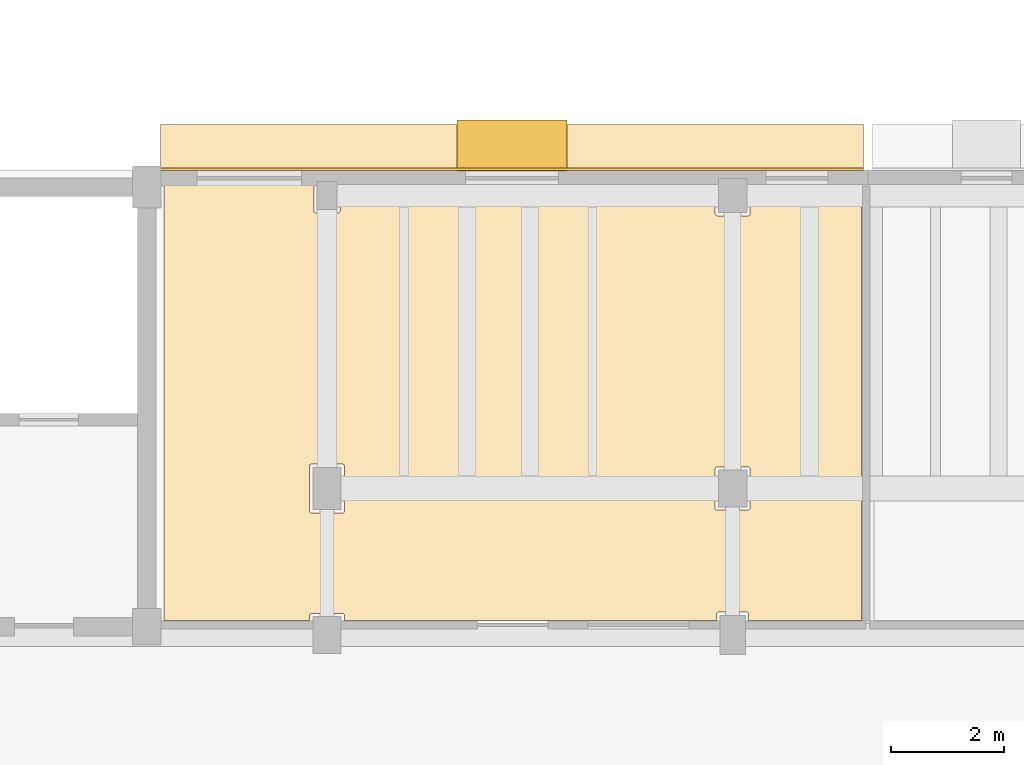
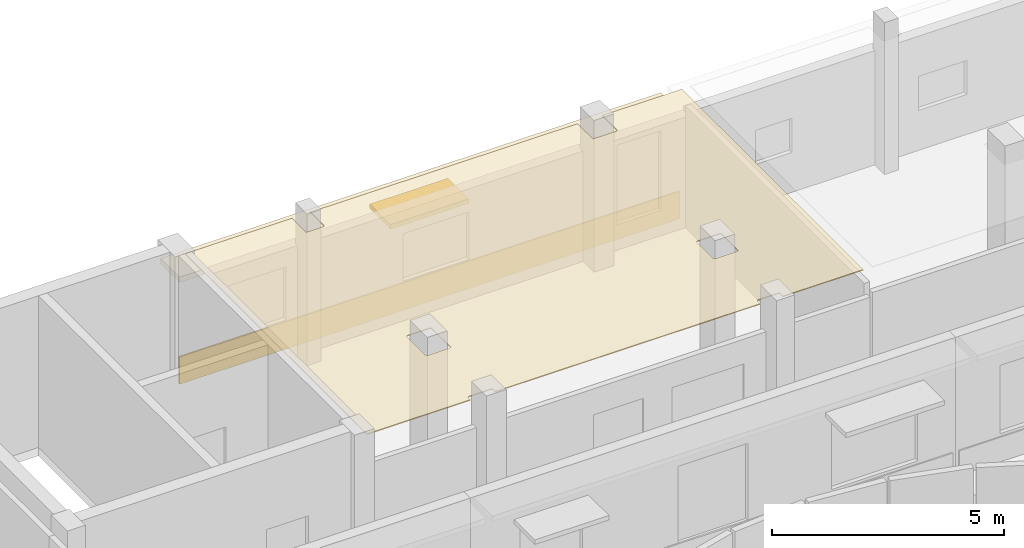
# One storey, part 70 of 78: 3 coverings, 1 shading device.
"""IFC4 building model written with IfcOpenShell, lengths in metres."""

from ifc_helpers import new_model, si_unit, direction, frame, origin, origin_2d, place, context, subcontext, project, spatial, polyline, rectangle, outline, extrude, material, layer, layer_set, type_object, element, save


model = new_model("IFC4")

# Units and contexts
model_context = context("Model", 3, precision=1e-05, world=origin(), true_north=direction((0.0, 1.0)))
body_context = subcontext(model_context, "Body", "Model", "MODEL_VIEW")
ifc_project = project(units=[si_unit("LENGTHUNIT", "METRE"), si_unit("AREAUNIT", "SQUARE_METRE"), si_unit("VOLUMEUNIT", "CUBIC_METRE"), si_unit("PLANEANGLEUNIT", "RADIAN"), si_unit("MASSUNIT", "GRAM", prefix="KILO")], contexts=[model_context])

# Site, building, storey
site_placement = place(None, origin())
site = spatial("IfcSite", under=ifc_project, at=site_placement, CompositionType="ELEMENT")
building_placement = place(site_placement, origin())
building = spatial("IfcBuilding", under=site, at=building_placement, Name="Kelanivale Promenade Academy", CompositionType="ELEMENT")
storey_placement = place(building_placement, frame((0.0, 0.0, 16.199951171875)))
storey = spatial("IfcBuildingStorey", under=building, at=storey_placement, Name="L04", CompositionType="ELEMENT", Elevation=16.199951171875)

# Coverings
ifc_material_1 = material(Name="Warm ivory Art Deco stucco frieze band 40 mm", Category="masonry")
ifc_layer_1 = layer(ifc_material_1, 0.0400390625)
ifc_layer_set_1 = layer_set([ifc_layer_1], Name="Warm ivory Art Deco stucco frieze band 40 mm")
covering_type_1 = type_object("IfcCoveringType", Name="COV-CLD2 Warm ivory Art Deco stucco frieze ba", PredefinedType="CLADDING", material=ifc_layer_set_1)
covering_1_placement = place(storey_placement, frame((60.883056640625, 80.25, 2.75), z_axis=(0.0, 0.0, 1.0), x_axis=(-1.0, 0.0, 0.0)))
element("IfcCovering", 1, at=covering_1_placement, inside=storey, type_object=covering_type_1, Name="Art Deco projecting 820 mm streamline sunshade eyebrow ledge", PredefinedType="CLADDING", context=body_context, shape_type="SweptSolid", body=[
    extrude(rectangle(XDim=12.47509765625, YDim=0.820068359375, at=origin_2d()), origin(), (0.0, 0.0, 1.0), 0.139892578125),
])
covering_2_placement = place(storey_placement, frame((60.883056640625, 79.864990234375, 0.06005859375), z_axis=(0.0, 0.0, 1.0), x_axis=(-1.0, 0.0, 0.0)))
element("IfcCovering", 2, at=covering_2_placement, inside=storey, type_object=covering_type_1, Name="Art Deco ivory stucco sill frieze band", PredefinedType="CLADDING", context=body_context, shape_type="SweptSolid", body=[
    extrude(rectangle(XDim=12.47509765625, YDim=0.0400390625, at=origin_2d()), origin(), (0.0, 0.0, 1.0), 0.719970703125),
])
ifc_material_2 = material(Name="Acoustic mineral-fibre ceiling tile 25 mm", Category="gypsum")
ifc_layer_2 = layer(ifc_material_2, 0.02490234375)
ifc_layer_set_2 = layer_set([ifc_layer_2], Name="Acoustic mineral-fibre ceiling tile 25 mm")
covering_type_2 = type_object("IfcCoveringType", Name="COV-CLG1 Acoustic mineral-fibre ceiling tile ", PredefinedType="CEILING", material=ifc_layer_set_2)
covering_3_placement = place(storey_placement, frame((0.0, 0.0, 3.550048828125)))
element("IfcCovering", 3, at=covering_3_placement, inside=storey, type_object=covering_type_2, Name="Sixth Form Classroom West acoustic suspended ceiling", PredefinedType="CEILING", context=body_context, shape_type="SweptSolid", body=[
    extrude(outline(polyline([(54.7099609375, 79.699951171875), (54.7099609375, 79.155029296875), (54.7099609375, 72.094970703125), (54.7099609375, 71.860107421875), (57.2900390625, 71.860107421875), (57.2900390625, 71.945068359375), (57.2900390625, 71.948974609375), (57.291015625, 71.952880859375), (57.2919921875, 71.95703125), (57.29296875, 71.9599609375), (57.294921875, 71.964111328125), (57.297119140625, 71.967041015625), (57.299072265625, 71.969970703125), (57.302001953125, 71.972900390625), (57.304931640625, 71.97607421875), (57.30810546875, 71.97802734375), (57.31103515625, 71.97998046875), (57.31494140625, 71.98193359375), (57.318115234375, 71.98291015625), (57.322021484375, 71.98388671875), (57.325927734375, 71.985107421875), (57.330078125, 71.985107421875), (57.8701171875, 71.985107421875), (57.8740234375, 71.985107421875), (57.8779296875, 71.98388671875), (57.882080078125, 71.98291015625), (57.885009765625, 71.98193359375), (57.888916015625, 71.97998046875), (57.89208984375, 71.97802734375), (57.89501953125, 71.97607421875), (57.89794921875, 71.972900390625), (57.90087890625, 71.969970703125), (57.903076171875, 71.967041015625), (57.905029296875, 71.964111328125), (57.906982421875, 71.9599609375), (57.907958984375, 71.95703125), (57.908935546875, 71.952880859375), (57.909912109375, 71.948974609375), (57.909912109375, 71.945068359375), (57.909912109375, 71.860107421875), (64.514892578125, 71.860107421875), (64.514892578125, 71.969970703125), (64.514892578125, 71.97412109375), (64.51611328125, 71.97802734375), (64.51708984375, 71.98193359375), (64.51806640625, 71.985107421875), (64.52001953125, 71.989013671875), (64.52197265625, 71.991943359375), (64.52392578125, 71.9951171875), (64.527099609375, 71.998046875), (64.530029296875, 72.0009765625), (64.532958984375, 72.0029296875), (64.535888671875, 72.0048828125), (64.5400390625, 72.007080078125), (64.54296875, 72.008056640625), (64.547119140625, 72.009033203125), (64.551025390625, 72.010009765625), (64.554931640625, 72.010009765625), (65.044921875, 72.010009765625), (65.049072265625, 72.010009765625), (65.052978515625, 72.009033203125), (65.056884765625, 72.008056640625), (65.06005859375, 72.007080078125), (65.06396484375, 72.0048828125), (65.06689453125, 72.0029296875), (65.070068359375, 72.0009765625), (65.072998046875, 71.998046875), (65.075927734375, 71.9951171875), (65.077880859375, 71.991943359375), (65.080078125, 71.989013671875), (65.08203125, 71.985107421875), (65.0830078125, 71.98193359375), (65.083984375, 71.97802734375), (65.0849609375, 71.97412109375), (65.0849609375, 71.969970703125), (65.0849609375, 71.860107421875), (67.090087890625, 71.860107421875), (67.090087890625, 79.699951171875), (65.110107421875, 79.699951171875), (65.110107421875, 79.080078125), (65.110107421875, 79.075927734375), (65.10888671875, 79.072021484375), (65.10791015625, 79.068115234375), (65.10693359375, 79.06494140625), (65.10498046875, 79.06103515625), (65.10302734375, 79.05810546875), (65.10107421875, 79.054931640625), (65.097900390625, 79.052001953125), (65.094970703125, 79.049072265625), (65.092041015625, 79.047119140625), (65.089111328125, 79.044921875), (65.0849609375, 79.04296875), (65.08203125, 79.0419921875), (65.077880859375, 79.041015625), (65.073974609375, 79.0400390625), (65.070068359375, 79.0400390625), (64.530029296875, 79.0400390625), (64.52587890625, 79.0400390625), (64.52197265625, 79.041015625), (64.51806640625, 79.0419921875), (64.514892578125, 79.04296875), (64.510986328125, 79.044921875), (64.508056640625, 79.047119140625), (64.5048828125, 79.049072265625), (64.501953125, 79.052001953125), (64.4990234375, 79.054931640625), (64.4970703125, 79.05810546875), (64.4951171875, 79.06103515625), (64.492919921875, 79.06494140625), (64.491943359375, 79.068115234375), (64.490966796875, 79.072021484375), (64.489990234375, 79.075927734375), (64.489990234375, 79.080078125), (64.489990234375, 79.699951171875), (57.821044921875, 79.699951171875), (57.822998046875, 79.697998046875), (57.825927734375, 79.695068359375), (57.827880859375, 79.69189453125), (57.830078125, 79.68896484375), (57.83203125, 79.68505859375), (57.8330078125, 79.681884765625), (57.833984375, 79.677978515625), (57.8349609375, 79.674072265625), (57.8349609375, 79.669921875), (57.8349609375, 79.1298828125), (57.8349609375, 79.1259765625), (57.833984375, 79.1220703125), (57.8330078125, 79.117919921875), (57.83203125, 79.114990234375), (57.830078125, 79.111083984375), (57.827880859375, 79.10791015625), (57.825927734375, 79.10498046875), (57.822998046875, 79.10205078125), (57.820068359375, 79.09912109375), (57.81689453125, 79.096923828125), (57.81396484375, 79.094970703125), (57.81005859375, 79.093017578125), (57.806884765625, 79.092041015625), (57.802978515625, 79.091064453125), (57.799072265625, 79.090087890625), (57.794921875, 79.090087890625), (57.405029296875, 79.090087890625), (57.40087890625, 79.090087890625), (57.39697265625, 79.091064453125), (57.39306640625, 79.092041015625), (57.389892578125, 79.093017578125), (57.385986328125, 79.094970703125), (57.383056640625, 79.096923828125), (57.3798828125, 79.09912109375), (57.376953125, 79.10205078125), (57.3740234375, 79.10498046875), (57.3720703125, 79.10791015625), (57.3701171875, 79.111083984375), (57.367919921875, 79.114990234375), (57.366943359375, 79.117919921875), (57.365966796875, 79.1220703125), (57.364990234375, 79.1259765625), (57.364990234375, 79.1298828125), (57.364990234375, 79.669921875), (57.364990234375, 79.674072265625), (57.365966796875, 79.677978515625), (57.366943359375, 79.681884765625), (57.367919921875, 79.68505859375), (57.3701171875, 79.68896484375), (57.3720703125, 79.69189453125), (57.3740234375, 79.695068359375), (57.376953125, 79.697998046875), (57.37890625, 79.699951171875), (54.7099609375, 79.699951171875)]), holes=[polyline([(65.070068359375, 74.5849609375), (65.073974609375, 74.5849609375), (65.077880859375, 74.583984375), (65.08203125, 74.5830078125), (65.0849609375, 74.58203125), (65.089111328125, 74.580078125), (65.092041015625, 74.577880859375), (65.094970703125, 74.575927734375), (65.097900390625, 74.572998046875), (65.10107421875, 74.570068359375), (65.10302734375, 74.56689453125), (65.10498046875, 74.56396484375), (65.10693359375, 74.56005859375), (65.10791015625, 74.556884765625), (65.10888671875, 74.552978515625), (65.110107421875, 74.549072265625), (65.110107421875, 74.544921875), (65.110107421875, 73.85498046875), (65.110107421875, 73.85107421875), (65.10888671875, 73.846923828125), (65.10791015625, 73.843017578125), (65.10693359375, 73.840087890625), (65.10498046875, 73.8359375), (65.10302734375, 73.8330078125), (65.10107421875, 73.830078125), (65.097900390625, 73.826904296875), (65.094970703125, 73.823974609375), (65.092041015625, 73.822021484375), (65.089111328125, 73.820068359375), (65.0849609375, 73.818115234375), (65.08203125, 73.81689453125), (65.077880859375, 73.81591796875), (65.073974609375, 73.81494140625), (65.070068359375, 73.81494140625), (64.530029296875, 73.81494140625), (64.52587890625, 73.81494140625), (64.52197265625, 73.81591796875), (64.51806640625, 73.81689453125), (64.514892578125, 73.818115234375), (64.510986328125, 73.820068359375), (64.508056640625, 73.822021484375), (64.5048828125, 73.823974609375), (64.501953125, 73.826904296875), (64.4990234375, 73.830078125), (64.4970703125, 73.8330078125), (64.4951171875, 73.8359375), (64.492919921875, 73.840087890625), (64.491943359375, 73.843017578125), (64.490966796875, 73.846923828125), (64.489990234375, 73.85107421875), (64.489990234375, 73.85498046875), (64.489990234375, 74.544921875), (64.489990234375, 74.549072265625), (64.490966796875, 74.552978515625), (64.491943359375, 74.556884765625), (64.492919921875, 74.56005859375), (64.4951171875, 74.56396484375), (64.4970703125, 74.56689453125), (64.4990234375, 74.570068359375), (64.501953125, 74.572998046875), (64.5048828125, 74.575927734375), (64.508056640625, 74.577880859375), (64.510986328125, 74.580078125), (64.514892578125, 74.58203125), (64.51806640625, 74.5830078125), (64.52197265625, 74.583984375), (64.52587890625, 74.5849609375), (64.530029296875, 74.5849609375), (65.070068359375, 74.5849609375)]), polyline([(57.8701171875, 74.635009765625), (57.8740234375, 74.635009765625), (57.8779296875, 74.634033203125), (57.882080078125, 74.633056640625), (57.885009765625, 74.632080078125), (57.888916015625, 74.6298828125), (57.89208984375, 74.6279296875), (57.89501953125, 74.6259765625), (57.89794921875, 74.623046875), (57.90087890625, 74.6201171875), (57.903076171875, 74.616943359375), (57.905029296875, 74.614013671875), (57.906982421875, 74.610107421875), (57.907958984375, 74.60693359375), (57.908935546875, 74.60302734375), (57.909912109375, 74.59912109375), (57.909912109375, 74.594970703125), (57.909912109375, 73.804931640625), (57.909912109375, 73.801025390625), (57.908935546875, 73.797119140625), (57.907958984375, 73.79296875), (57.906982421875, 73.7900390625), (57.905029296875, 73.785888671875), (57.903076171875, 73.782958984375), (57.90087890625, 73.780029296875), (57.89794921875, 73.777099609375), (57.89501953125, 73.77392578125), (57.89208984375, 73.77197265625), (57.888916015625, 73.77001953125), (57.885009765625, 73.76806640625), (57.882080078125, 73.76708984375), (57.8779296875, 73.76611328125), (57.8740234375, 73.764892578125), (57.8701171875, 73.764892578125), (57.330078125, 73.764892578125), (57.325927734375, 73.764892578125), (57.322021484375, 73.76611328125), (57.318115234375, 73.76708984375), (57.31494140625, 73.76806640625), (57.31103515625, 73.77001953125), (57.30810546875, 73.77197265625), (57.304931640625, 73.77392578125), (57.302001953125, 73.777099609375), (57.299072265625, 73.780029296875), (57.297119140625, 73.782958984375), (57.294921875, 73.785888671875), (57.29296875, 73.7900390625), (57.2919921875, 73.79296875), (57.291015625, 73.797119140625), (57.2900390625, 73.801025390625), (57.2900390625, 73.804931640625), (57.2900390625, 74.594970703125), (57.2900390625, 74.59912109375), (57.291015625, 74.60302734375), (57.2919921875, 74.60693359375), (57.29296875, 74.610107421875), (57.294921875, 74.614013671875), (57.297119140625, 74.616943359375), (57.299072265625, 74.6201171875), (57.302001953125, 74.623046875), (57.304931640625, 74.6259765625), (57.30810546875, 74.6279296875), (57.31103515625, 74.6298828125), (57.31494140625, 74.632080078125), (57.318115234375, 74.633056640625), (57.322021484375, 74.634033203125), (57.325927734375, 74.635009765625), (57.330078125, 74.635009765625), (57.8701171875, 74.635009765625)])]), origin(), (0.0, 0.0, 1.0), 0.02490234375),
])

# Shading device
ifc_material_3 = material(Name="Precast concrete C40/50", Category="concrete")
ifc_layer_3 = layer(ifc_material_3, 0.1201171875)
ifc_layer_set_3 = layer_set([ifc_layer_3], Name="Precast concrete C40/50")
shading_device_type = type_object("IfcShadingDeviceType", Name="SHD-01 Art Deco Sunshade Eyebrow 900mm", PredefinedType="USERDEFINED", material=ifc_layer_set_3)
shading_device_placement = place(storey_placement, frame((60.882080078125, 80.2900390625, 2.31005859375), z_axis=(0.0, 0.0, 1.0), x_axis=(-1.0, 0.0, 0.0)))
element("IfcShadingDevice", 4, at=shading_device_placement, inside=storey, type_object=shading_device_type, Name="Art Deco 900 mm precast chajja window sunshade", ObjectType="SUNSHADE", PredefinedType="USERDEFINED", context=body_context, shape_type="SweptSolid", body=[
    extrude(rectangle(XDim=1.949951171875, YDim=0.89990234375, at=origin_2d()), origin(), (0.0, 0.0, 1.0), 0.1201171875),
])

save(model, "model.ifc")
